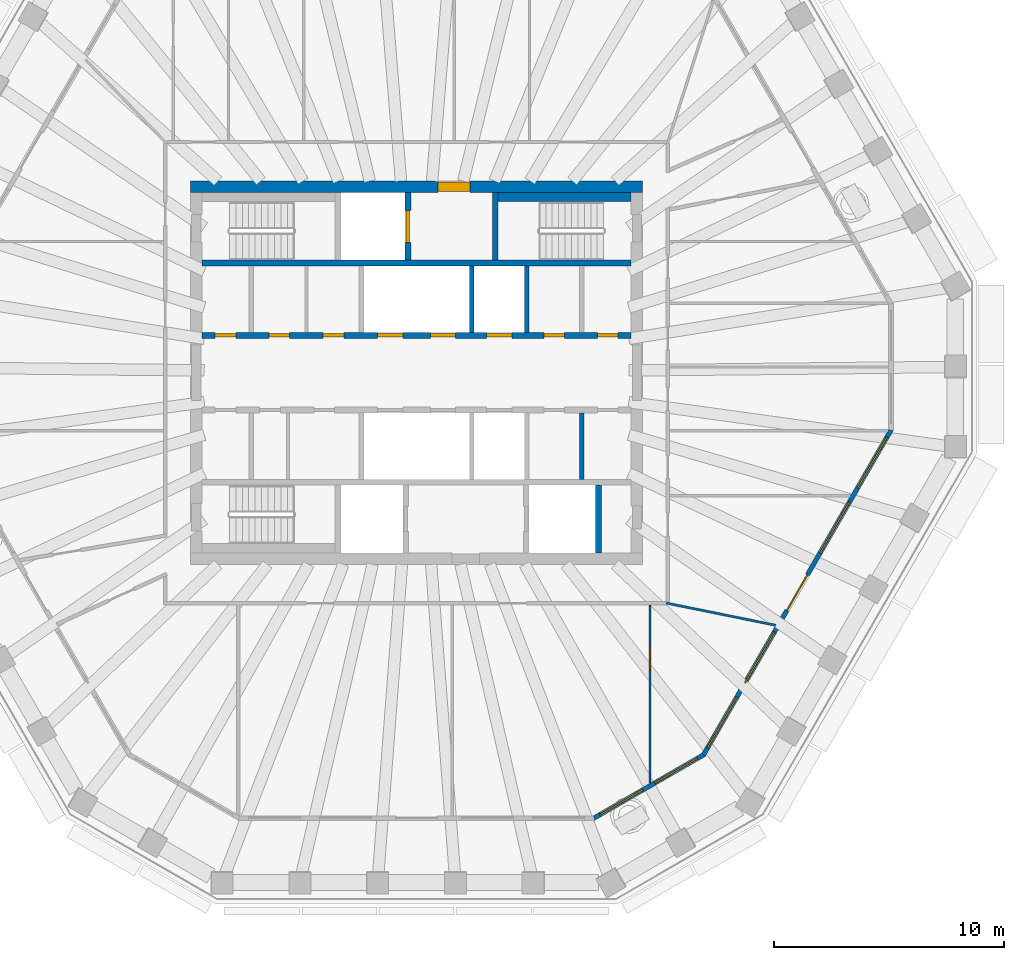
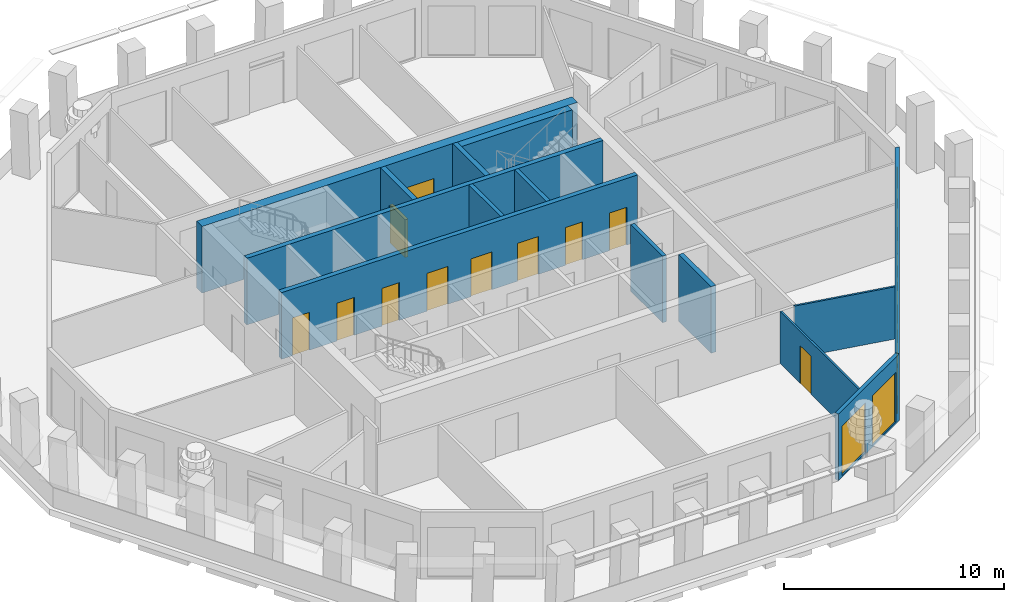
# One storey, part 5 of 12: 14 walls, 12 doors, 7 windows, 19 openings.
"""IFC4 building model written with IfcOpenShell, lengths in metres."""

from ifc_helpers import new_model, si_unit, direction, frame, frame_2d, origin, place, context, subcontext, project, spatial, polyline, rectangle, outline, extrude, material, layer, layer_set, type_object, element, fill, save


model = new_model("IFC4")

# Units and contexts
model_context = context("Model", 3, precision=1e-05, world=origin(), true_north=direction((0.0, 1.0)))
body_context = subcontext(model_context, "Body", "Model", "MODEL_VIEW")
ifc_project = project(units=[si_unit("LENGTHUNIT", "METRE"), si_unit("AREAUNIT", "SQUARE_METRE"), si_unit("VOLUMEUNIT", "CUBIC_METRE"), si_unit("PLANEANGLEUNIT", "RADIAN"), si_unit("MASSUNIT", "GRAM", prefix="KILO")], contexts=[model_context])

# Site, building, storey
site_placement = place(None, origin())
site = spatial("IfcSite", under=ifc_project, at=site_placement, CompositionType="ELEMENT")
building_placement = place(site_placement, origin())
building = spatial("IfcBuilding", under=site, at=building_placement, Name="Frailejon Research Tower", CompositionType="ELEMENT")
storey_placement = place(building_placement, frame((0.0, 0.0, 271.0)))
storey = spatial("IfcBuildingStorey", under=building, at=storey_placement, Name="L59", CompositionType="ELEMENT", Elevation=271.0)

# Wall, opening, door
ifc_material_1 = material(Name="Concrete C50/60", Category="concrete")
ifc_layer_1 = layer(ifc_material_1, 0.5)
ifc_layer_set_1 = layer_set([ifc_layer_1], Name="Core shear wall 500 C50/60")
wall_type_1 = type_object("IfcWallType", Name="Core shear wall 500 C50/60", PredefinedType="SHEAR", material=ifc_layer_set_1)
wall_1_placement = place(storey_placement, frame((-9.85009765625, 8.10009765625, 0.0), z_axis=(0.0, 0.0, 1.0), x_axis=(1.0, 0.0, 0.0)))
wall_1 = element("IfcWall", 1, at=wall_1_placement, inside=storey, type_object=wall_type_1, Name="Core shear wall", PredefinedType="SHEAR", context=body_context, shape_type="SweptSolid", body=[
    extrude(rectangle(XDim=19.7001953125, YDim=0.5, at=frame_2d((9.85009765625, 0.0))), origin(), (0.0, 0.0, 1.0), 3.699951171875),
])
opening_1_placement = place(wall_1_placement, frame((10.77490234375, 0.0, 0.0)))
opening_1 = element("IfcOpeningElement", 2, at=opening_1_placement, cuts=wall_1, Name="Opening D9", PredefinedType="OPENING", context=body_context, shape_type="SweptSolid", body=[
    extrude(rectangle(XDim=1.39990234375, YDim=2.10009765625, at=frame_2d((0.699951171875, 1.050048828125))), frame((0.0, 0.260009765625, 0.0), z_axis=(0.0, -1.0, 0.0), x_axis=(1.0, 0.0, 0.0)), (0.0, 0.0, 1.0), 0.52001953125),
])
ifc_material_2 = material(Name="Steel", Category="steel")
door_type_1 = type_object("IfcDoorType", Name="Goods lobby door", OperationType="DOUBLE_DOOR_SINGLE_SWING", PredefinedType="DOOR", material=ifc_material_2)
door_1_placement = place(opening_1_placement, origin())
door_1 = element("IfcDoor", 3, at=door_1_placement, inside=storey, type_object=door_type_1, Name="Goods lobby door", OperationType="DOUBLE_DOOR_SINGLE_SWING", OverallHeight=2.10009765625, OverallWidth=1.39990234375, PredefinedType="DOOR", context=body_context, shape_type="SweptSolid", body=[
    extrude(rectangle(XDim=1.39990234375, YDim=2.10009765625, at=frame_2d((0.699951171875, 1.050048828125))), frame((0.0, 0.199951171875, 0.0), z_axis=(0.0, -1.0, 0.0), x_axis=(1.0, 0.0, 0.0)), (0.0, 0.0, 1.0), 0.39990234375),
])
fill(opening_1, door_1)

ifc_material_3 = material(Name="Gypsum board and masonry partition", Category="masonry")
ifc_layer_2 = layer(ifc_material_3, 0.10009765625)
ifc_layer_set_2 = layer_set([ifc_layer_2], Name="Partition, gypsum on steel studs 100")
wall_type_2 = type_object("IfcWallType", Name="Partition, gypsum on steel studs 100", PredefinedType="PARTITIONING", material=ifc_layer_set_2)
wall_2_placement = place(storey_placement, frame((10.166748046875, -17.881103515625, 0.0), z_axis=(0.0, 0.0, 1.0), x_axis=(0.0, 1.0, 0.0)))
wall_2 = element("IfcWall", 4, at=wall_2_placement, inside=storey, type_object=wall_type_2, Name="T:IW:L59:026", PredefinedType="PARTITIONING", context=body_context, shape_type="SweptSolid", body=[
    extrude(rectangle(XDim=7.756103515625, YDim=0.10009765625, at=frame_2d((3.8779296875, 0.0))), origin(), (0.0, 0.0, 1.0), 2.89990234375),
])
opening_2_placement = place(wall_2_placement, frame((4.948486328125, 0.0, 0.0)))
opening_2 = element("IfcOpeningElement", 5, at=opening_2_placement, cuts=wall_2, Name="Opening D2147", PredefinedType="OPENING", context=body_context, shape_type="SweptSolid", body=[
    extrude(rectangle(XDim=1.0, YDim=2.10009765625, at=frame_2d((0.5, 1.050048828125))), frame((0.0, 0.06005859375, 0.0), z_axis=(0.0, -1.0, 0.0), x_axis=(1.0, 0.0, 0.0)), (0.0, 0.0, 1.0), 0.1201171875),
])
ifc_material_4 = material(Name="Timber door leaf", Category="wood")
door_type_2 = type_object("IfcDoorType", Name="Door single leaf, timber, steel frame 1000", OperationType="NOTDEFINED", PredefinedType="DOOR", material=ifc_material_4)
door_2_placement = place(opening_2_placement, origin())
door_2 = element("IfcDoor", 6, at=door_2_placement, inside=storey, type_object=door_type_2, Name="D2147", OperationType="SINGLE_SWING_RIGHT", OverallHeight=2.10009765625, OverallWidth=1.0, PredefinedType="DOOR", context=body_context, shape_type="SweptSolid", body=[
    extrude(rectangle(XDim=1.0, YDim=2.10009765625, at=frame_2d((0.5, 1.050048828125))), frame((0.0, 0.02490234375, 0.0), z_axis=(0.0, -1.0, 0.0), x_axis=(1.0, 0.0, 0.0)), (0.0, 0.0, 1.0), 0.050048828125),
])
fill(opening_2, door_2)

# Walls
wall_3_placement = place(storey_placement, frame((10.87646484375, -10.03515625, 0.0), z_axis=(0.0, 0.0, 1.0), x_axis=(0.980028746754, -0.198855866233, 0.0)))
element("IfcWall", 7, at=wall_3_placement, inside=storey, type_object=wall_type_2, Name="T:IW:L59:027", PredefinedType="PARTITIONING", context=body_context, shape_type="SweptSolid", body=[
    extrude(rectangle(XDim=4.865478515625, YDim=0.10009765625, at=frame_2d((2.4326171875, 0.0))), origin(), (0.0, 0.0, 1.0), 2.89990234375),
])
ifc_material_5 = material(Name="Concrete C50/60", Category="concrete")
ifc_layer_3 = layer(ifc_material_5, 0.199951171875)
ifc_layer_set_3 = layer_set([ifc_layer_3], Name="Shaft wall 200 C50/60")
wall_type_3 = type_object("IfcWallType", Name="Shaft wall 200 C50/60", PredefinedType="SOLIDWALL", material=ifc_layer_set_3)
for number, where, z_axis, x_axis, name in (
    (8, (2.39990234375, 1.75, 0.0), (0.0, 0.0, 1.0), (0.0, 1.0, 0.0), "Shaft wall"),
    (9, (4.800048828125, 1.75, 0.0), (0.0, 0.0, 1.0), (0.0, 1.0, 0.0), "Shaft wall"),
    (10, (7.199951171875, -4.64990234375, 0.0), (0.0, 0.0, 1.0), (0.0, 1.0, 0.0), "Shaft wall"),
):
    element("IfcWall", number, at=place(storey_placement, frame(where, z_axis=z_axis, x_axis=x_axis)), inside=storey, type_object=wall_type_3, Name=name, PredefinedType="SOLIDWALL", context=body_context, shape_type="SweptSolid", body=[
        extrude(rectangle(XDim=2.89990234375, YDim=0.199951171875, at=frame_2d((1.449951171875, 0.0))), origin(), (0.0, 0.0, 1.0), 3.699951171875),
    ])

# Wall, openings, doors
ifc_material_6 = material(Name="Concrete C50/60", Category="concrete")
ifc_layer_4 = layer(ifc_material_6, 0.25)
ifc_layer_set_4 = layer_set([ifc_layer_4], Name="Shaft wall 250 C50/60")
wall_type_4 = type_object("IfcWallType", Name="Shaft wall 250 C50/60", PredefinedType="SOLIDWALL", material=ifc_layer_set_4)
wall_4_placement = place(storey_placement, frame((-9.35009765625, 1.625, 0.0), z_axis=(0.0, 0.0, 1.0), x_axis=(1.0, 0.0, 0.0)))
wall_4 = element("IfcWall", 11, at=wall_4_placement, inside=storey, type_object=wall_type_4, Name="Shaft wall", PredefinedType="SOLIDWALL", context=body_context, shape_type="SweptSolid", body=[
    extrude(rectangle(XDim=18.7001953125, YDim=0.25, at=frame_2d((9.35009765625, 0.0))), origin(), (0.0, 0.0, 1.0), 3.699951171875),
])
opening_3_placement = place(wall_4_placement, frame((7.64990234375, 0.0, 0.0)))
opening_3 = element("IfcOpeningElement", 12, at=opening_3_placement, cuts=wall_4, Name="Opening LD", PredefinedType="OPENING", context=body_context, shape_type="SweptSolid", body=[
    extrude(rectangle(XDim=1.10009765625, YDim=2.10009765625, at=frame_2d((0.550048828125, 1.050048828125))), frame((0.0, 0.135009765625, 0.0), z_axis=(0.0, -1.0, 0.0), x_axis=(1.0, 0.0, 0.0)), (0.0, 0.0, 1.0), 0.27001953125),
])
opening_4_placement = place(wall_4_placement, frame((9.949951171875, 0.0, 0.0)))
opening_4 = element("IfcOpeningElement", 13, at=opening_4_placement, cuts=wall_4, Name="Opening LD", PredefinedType="OPENING", context=body_context, shape_type="SweptSolid", body=[
    extrude(rectangle(XDim=1.10009765625, YDim=2.10009765625, at=frame_2d((0.550048828125, 1.050048828125))), frame((0.0, 0.135009765625, 0.0), z_axis=(0.0, -1.0, 0.0), x_axis=(1.0, 0.0, 0.0)), (0.0, 0.0, 1.0), 0.27001953125),
])
opening_5_placement = place(wall_4_placement, frame((12.39990234375, 0.0, 0.0)))
opening_5 = element("IfcOpeningElement", 14, at=opening_5_placement, cuts=wall_4, Name="Opening LD", PredefinedType="OPENING", context=body_context, shape_type="SweptSolid", body=[
    extrude(rectangle(XDim=1.10009765625, YDim=2.10009765625, at=frame_2d((0.550048828125, 1.050048828125))), frame((0.0, 0.135009765625, 0.0), z_axis=(0.0, -1.0, 0.0), x_axis=(1.0, 0.0, 0.0)), (0.0, 0.0, 1.0), 0.27001953125),
])
opening_6_placement = place(wall_4_placement, frame((0.574951171875, 0.0, 0.0)))
opening_6 = element("IfcOpeningElement", 15, at=opening_6_placement, cuts=wall_4, Name="Opening D8", PredefinedType="OPENING", context=body_context, shape_type="SweptSolid", body=[
    extrude(rectangle(XDim=0.89990234375, YDim=2.10009765625, at=frame_2d((0.449951171875, 1.050048828125))), frame((0.0, 0.135009765625, 0.0), z_axis=(0.0, -1.0, 0.0), x_axis=(1.0, 0.0, 0.0)), (0.0, 0.0, 1.0), 0.27001953125),
])
opening_7_placement = place(wall_4_placement, frame((2.918701171875, 0.0, 0.0)))
opening_7 = element("IfcOpeningElement", 16, at=opening_7_placement, cuts=wall_4, Name="Opening D8", PredefinedType="OPENING", context=body_context, shape_type="SweptSolid", body=[
    extrude(rectangle(XDim=0.89990234375, YDim=2.10009765625, at=frame_2d((0.449951171875, 1.050048828125))), frame((0.0, 0.135009765625, 0.0), z_axis=(0.0, -1.0, 0.0), x_axis=(1.0, 0.0, 0.0)), (0.0, 0.0, 1.0), 0.27001953125),
])
opening_8_placement = place(wall_4_placement, frame((5.28125, 0.0, 0.0)))
opening_8 = element("IfcOpeningElement", 17, at=opening_8_placement, cuts=wall_4, Name="Opening D8", PredefinedType="OPENING", context=body_context, shape_type="SweptSolid", body=[
    extrude(rectangle(XDim=0.89990234375, YDim=2.10009765625, at=frame_2d((0.449951171875, 1.050048828125))), frame((0.0, 0.135009765625, 0.0), z_axis=(0.0, -1.0, 0.0), x_axis=(1.0, 0.0, 0.0)), (0.0, 0.0, 1.0), 0.27001953125),
])
opening_9_placement = place(wall_4_placement, frame((14.89990234375, 0.0, 0.0)))
opening_9 = element("IfcOpeningElement", 18, at=opening_9_placement, cuts=wall_4, Name="Opening D8", PredefinedType="OPENING", context=body_context, shape_type="SweptSolid", body=[
    extrude(rectangle(XDim=0.89990234375, YDim=2.10009765625, at=frame_2d((0.449951171875, 1.050048828125))), frame((0.0, 0.135009765625, 0.0), z_axis=(0.0, -1.0, 0.0), x_axis=(1.0, 0.0, 0.0)), (0.0, 0.0, 1.0), 0.27001953125),
])
opening_10_placement = place(wall_4_placement, frame((17.22509765625, 0.0, 0.0)))
opening_10 = element("IfcOpeningElement", 19, at=opening_10_placement, cuts=wall_4, Name="Opening D8", PredefinedType="OPENING", context=body_context, shape_type="SweptSolid", body=[
    extrude(rectangle(XDim=0.89990234375, YDim=2.10009765625, at=frame_2d((0.449951171875, 1.050048828125))), frame((0.0, 0.135009765625, 0.0), z_axis=(0.0, -1.0, 0.0), x_axis=(1.0, 0.0, 0.0)), (0.0, 0.0, 1.0), 0.27001953125),
])
ifc_material_7 = material(Name="Steel", Category="steel")
door_type_3 = type_object("IfcDoorType", Name="Core room door", OperationType="SINGLE_SWING_LEFT", PredefinedType="DOOR", material=ifc_material_7)
door_3_placement = place(opening_6_placement, origin())
door_3 = element("IfcDoor", 20, at=door_3_placement, inside=storey, type_object=door_type_3, Name="Room door", OperationType="SINGLE_SWING_RIGHT", OverallHeight=2.10009765625, OverallWidth=0.89990234375, PredefinedType="DOOR", context=body_context, shape_type="SweptSolid", body=[
    extrude(rectangle(XDim=0.89990234375, YDim=2.10009765625, at=frame_2d((0.449951171875, 1.050048828125))), frame((0.0, 0.074951171875, 0.0), z_axis=(0.0, -1.0, 0.0), x_axis=(1.0, 0.0, 0.0)), (0.0, 0.0, 1.0), 0.14990234375),
])
fill(opening_6, door_3)
door_4_placement = place(opening_7_placement, origin())
door_4 = element("IfcDoor", 21, at=door_4_placement, inside=storey, type_object=door_type_3, Name="Room door", OperationType="SINGLE_SWING_LEFT", OverallHeight=2.10009765625, OverallWidth=0.89990234375, PredefinedType="DOOR", context=body_context, shape_type="SweptSolid", body=[
    extrude(rectangle(XDim=0.89990234375, YDim=2.10009765625, at=frame_2d((0.449951171875, 1.050048828125))), frame((0.0, 0.074951171875, 0.0), z_axis=(0.0, -1.0, 0.0), x_axis=(1.0, 0.0, 0.0)), (0.0, 0.0, 1.0), 0.14990234375),
])
fill(opening_7, door_4)
door_5_placement = place(opening_8_placement, origin())
door_5 = element("IfcDoor", 22, at=door_5_placement, inside=storey, type_object=door_type_3, Name="Room door", OperationType="SINGLE_SWING_RIGHT", OverallHeight=2.10009765625, OverallWidth=0.89990234375, PredefinedType="DOOR", context=body_context, shape_type="SweptSolid", body=[
    extrude(rectangle(XDim=0.89990234375, YDim=2.10009765625, at=frame_2d((0.449951171875, 1.050048828125))), frame((0.0, 0.074951171875, 0.0), z_axis=(0.0, -1.0, 0.0), x_axis=(1.0, 0.0, 0.0)), (0.0, 0.0, 1.0), 0.14990234375),
])
fill(opening_8, door_5)
door_6_placement = place(opening_9_placement, origin())
door_6 = element("IfcDoor", 23, at=door_6_placement, inside=storey, type_object=door_type_3, Name="Room door", OperationType="SINGLE_SWING_LEFT", OverallHeight=2.10009765625, OverallWidth=0.89990234375, PredefinedType="DOOR", context=body_context, shape_type="SweptSolid", body=[
    extrude(rectangle(XDim=0.89990234375, YDim=2.10009765625, at=frame_2d((0.449951171875, 1.050048828125))), frame((0.0, 0.074951171875, 0.0), z_axis=(0.0, -1.0, 0.0), x_axis=(1.0, 0.0, 0.0)), (0.0, 0.0, 1.0), 0.14990234375),
])
fill(opening_9, door_6)
door_7_placement = place(opening_10_placement, origin())
door_7 = element("IfcDoor", 24, at=door_7_placement, inside=storey, type_object=door_type_3, Name="Room door", OperationType="SINGLE_SWING_RIGHT", OverallHeight=2.10009765625, OverallWidth=0.89990234375, PredefinedType="DOOR", context=body_context, shape_type="SweptSolid", body=[
    extrude(rectangle(XDim=0.89990234375, YDim=2.10009765625, at=frame_2d((0.449951171875, 1.050048828125))), frame((0.0, 0.074951171875, 0.0), z_axis=(0.0, -1.0, 0.0), x_axis=(1.0, 0.0, 0.0)), (0.0, 0.0, 1.0), 0.14990234375),
])
fill(opening_10, door_7)
ifc_material_8 = material(Name="Steel", Category="steel")
door_type_4 = type_object("IfcDoorType", Name="Lift landing door", OperationType="DOUBLE_DOOR_SLIDING", PredefinedType="DOOR", material=ifc_material_8)
door_8_placement = place(opening_3_placement, origin())
door_8 = element("IfcDoor", 25, at=door_8_placement, inside=storey, type_object=door_type_4, Name="Lift landing door", OperationType="DOUBLE_DOOR_SLIDING", OverallHeight=2.10009765625, OverallWidth=1.10009765625, PredefinedType="DOOR", context=body_context, shape_type="SweptSolid", body=[
    extrude(rectangle(XDim=1.10009765625, YDim=2.10009765625, at=frame_2d((0.550048828125, 1.050048828125))), frame((0.0, 0.074951171875, 0.0), z_axis=(0.0, -1.0, 0.0), x_axis=(1.0, 0.0, 0.0)), (0.0, 0.0, 1.0), 0.14990234375),
])
fill(opening_3, door_8)
door_9_placement = place(opening_4_placement, origin())
door_9 = element("IfcDoor", 26, at=door_9_placement, inside=storey, type_object=door_type_4, Name="Lift landing door", OperationType="DOUBLE_DOOR_SLIDING", OverallHeight=2.10009765625, OverallWidth=1.10009765625, PredefinedType="DOOR", context=body_context, shape_type="SweptSolid", body=[
    extrude(rectangle(XDim=1.10009765625, YDim=2.10009765625, at=frame_2d((0.550048828125, 1.050048828125))), frame((0.0, 0.074951171875, 0.0), z_axis=(0.0, -1.0, 0.0), x_axis=(1.0, 0.0, 0.0)), (0.0, 0.0, 1.0), 0.14990234375),
])
fill(opening_4, door_9)
door_10_placement = place(opening_5_placement, origin())
door_10 = element("IfcDoor", 27, at=door_10_placement, inside=storey, type_object=door_type_4, Name="Lift landing door", OperationType="DOUBLE_DOOR_SLIDING", OverallHeight=2.10009765625, OverallWidth=1.10009765625, PredefinedType="DOOR", context=body_context, shape_type="SweptSolid", body=[
    extrude(rectangle(XDim=1.10009765625, YDim=2.10009765625, at=frame_2d((0.550048828125, 1.050048828125))), frame((0.0, 0.074951171875, 0.0), z_axis=(0.0, -1.0, 0.0), x_axis=(1.0, 0.0, 0.0)), (0.0, 0.0, 1.0), 0.14990234375),
])
fill(opening_5, door_10)

# Wall
wall_5_placement = place(storey_placement, frame((-9.35009765625, 4.77490234375, 0.0), z_axis=(0.0, 0.0, 1.0), x_axis=(1.0, 0.0, 0.0)))
element("IfcWall", 28, at=wall_5_placement, inside=storey, type_object=wall_type_4, Name="Shaft wall", PredefinedType="SOLIDWALL", context=body_context, shape_type="SweptSolid", body=[
    extrude(rectangle(XDim=18.7001953125, YDim=0.25, at=frame_2d((9.35009765625, 0.0))), origin(), (0.0, 0.0, 1.0), 3.699951171875),
])

# Wall, opening, door
wall_6_placement = place(storey_placement, frame((-0.375, 4.89990234375, 0.0), z_axis=(0.0, 0.0, 1.0), x_axis=(0.0, 1.0, 0.0)))
wall_6 = element("IfcWall", 29, at=wall_6_placement, inside=storey, type_object=wall_type_4, Name="Shaft wall", PredefinedType="SOLIDWALL", context=body_context, shape_type="SweptSolid", body=[
    extrude(rectangle(XDim=2.9501953125, YDim=0.25, at=frame_2d((1.47509765625, 0.0))), origin(), (0.0, 0.0, 1.0), 3.699951171875),
])
opening_11_placement = place(wall_6_placement, frame((0.77490234375, 0.0, 0.0)))
opening_11 = element("IfcOpeningElement", 30, at=opening_11_placement, cuts=wall_6, Name="Opening LD2", PredefinedType="OPENING", context=body_context, shape_type="SweptSolid", body=[
    extrude(rectangle(XDim=1.39990234375, YDim=2.10009765625, at=frame_2d((0.699951171875, 1.050048828125))), frame((0.0, 0.135009765625, 0.0), z_axis=(0.0, -1.0, 0.0), x_axis=(1.0, 0.0, 0.0)), (0.0, 0.0, 1.0), 0.27001953125),
])
ifc_material_9 = material(Name="Stainless steel", Category="steel")
door_type_5 = type_object("IfcDoorType", Name="Goods landing door", OperationType="DOUBLE_DOOR_SLIDING", PredefinedType="DOOR", material=ifc_material_9)
door_11_placement = place(opening_11_placement, origin())
door_11 = element("IfcDoor", 31, at=door_11_placement, inside=storey, type_object=door_type_5, Name="Lift landing door", OperationType="DOUBLE_DOOR_SLIDING", OverallHeight=2.10009765625, OverallWidth=1.39990234375, PredefinedType="DOOR", context=body_context, shape_type="SweptSolid", body=[
    extrude(rectangle(XDim=1.39990234375, YDim=2.10009765625, at=frame_2d((0.699951171875, 1.050048828125))), frame((0.0, 0.074951171875, 0.0), z_axis=(0.0, -1.0, 0.0), x_axis=(1.0, 0.0, 0.0)), (0.0, 0.0, 1.0), 0.14990234375),
])
fill(opening_11, door_11)

# Walls
for number, where, z_axis, x_axis, name in (
    (32, (3.425048828125, 4.89990234375, 0.0), (0.0, 0.0, 1.0), (0.0, 1.0, 0.0), "Shaft wall"),
    (33, (7.925048828125, -7.85009765625, 0.0), (0.0, 0.0, 1.0), (0.0, 1.0, 0.0), "Shaft wall"),
):
    element("IfcWall", number, at=place(storey_placement, frame(where, z_axis=z_axis, x_axis=x_axis)), inside=storey, type_object=wall_type_4, Name=name, PredefinedType="SOLIDWALL", context=body_context, shape_type="SweptSolid", body=[
        extrude(rectangle(XDim=2.9501953125, YDim=0.25, at=frame_2d((1.47509765625, 0.0))), origin(), (0.0, 0.0, 1.0), 3.699951171875),
    ])
ifc_material_10 = material(Name="Concrete C50/60", Category="concrete")
ifc_layer_5 = layer(ifc_material_10, 0.39990234375)
ifc_layer_set_5 = layer_set([ifc_layer_5], Name="Shaft wall 400 C50/60")
wall_type_5 = type_object("IfcWallType", Name="Shaft wall 400 C50/60", PredefinedType="SOLIDWALL", material=ifc_layer_set_5)
wall_7_placement = place(storey_placement, frame((3.550048828125, 7.64990234375, 0.0), z_axis=(0.0, 0.0, 1.0), x_axis=(1.0, 0.0, 0.0)))
element("IfcWall", 34, at=wall_7_placement, inside=storey, type_object=wall_type_5, Name="Shaft wall", PredefinedType="SOLIDWALL", context=body_context, shape_type="SweptSolid", body=[
    extrude(rectangle(XDim=5.800048828125, YDim=0.39990234375, at=frame_2d((2.89990234375, 0.0))), origin(), (0.0, 0.0, 1.0), 3.699951171875),
])

# Wall, openings, windows
ifc_material_11 = material(Name="Concrete C40/50 precast window wall panel", Category="concrete")
ifc_layer_6 = layer(ifc_material_11, 0.199951171875)
ifc_layer_set_6 = layer_set([ifc_layer_6], Name="Window wall 200")
wall_type_6 = type_object("IfcWallType", Name="Window wall 200", PredefinedType="SOLIDWALL", material=ifc_layer_set_6)
wall_8_placement = place(storey_placement, frame((7.733642578125, -19.4013671875, 0.0), z_axis=(0.0, 0.0, 1.0), x_axis=(0.866026017613, 0.499998936816, 0.0)))
wall_8 = element("IfcWall", 35, at=wall_8_placement, inside=storey, type_object=wall_type_6, Name="Exterior wall L59", PredefinedType="SOLIDWALL", context=body_context, shape_type="SweptSolid", body=[
    extrude(outline(polyline([(-0.02685546875, -0.10009765625), (1.08447265625, -0.10009765625), (2.196044921875, -0.10009765625), (3.307373046875, -0.10009765625), (4.4189453125, -0.10009765625), (5.5302734375, -0.10009765625), (5.4765625, 0.10009765625), (4.38671875, 0.10009765625), (3.296630859375, 0.10009765625), (2.206787109375, 0.10009765625), (1.11669921875, 0.10009765625), (0.02685546875, 0.10009765625), (-0.02685546875, -0.10009765625)])), origin(), (0.0, 0.0, 1.0), 3.699951171875),
])
opening_12_placement = place(wall_8_placement, frame((0.30078125, 0.0, 0.10009765625)))
opening_12 = element("IfcOpeningElement", 36, at=opening_12_placement, cuts=wall_8, Name="Opening W22", PredefinedType="OPENING", context=body_context, shape_type="SweptSolid", body=[
    extrude(rectangle(XDim=2.14990234375, YDim=2.75, at=frame_2d((1.074951171875, 1.375))), frame((0.0, 0.10986328125, 0.0), z_axis=(0.0, -1.0, 0.0), x_axis=(1.0, 0.0, 0.0)), (0.0, 0.0, 1.0), 0.219970703125),
])
opening_13_placement = place(wall_8_placement, frame((3.052490234375, 0.0, 0.10009765625)))
opening_13 = element("IfcOpeningElement", 37, at=opening_13_placement, cuts=wall_8, Name="Opening W22", PredefinedType="OPENING", context=body_context, shape_type="SweptSolid", body=[
    extrude(rectangle(XDim=2.14990234375, YDim=2.75, at=frame_2d((1.074951171875, 1.375))), frame((0.0, 0.10986328125, 0.0), z_axis=(0.0, -1.0, 0.0), x_axis=(1.0, 0.0, 0.0)), (0.0, 0.0, 1.0), 0.219970703125),
])
ifc_material_12 = material(Name="Aluminium framed double glazing", Category="aluminium")
window_type_1 = type_object("IfcWindowType", Name="Window 2150x2750", PartitioningType="SINGLE_PANEL", PredefinedType="WINDOW", material=ifc_material_12)
window_1_placement = place(opening_12_placement, origin())
window_1 = element("IfcWindow", 38, at=window_1_placement, inside=storey, type_object=window_type_1, Name="Window L59", OverallHeight=2.75, OverallWidth=2.14990234375, PartitioningType="SINGLE_PANEL", PredefinedType="WINDOW", context=body_context, shape_type="SweptSolid", body=[
    extrude(rectangle(XDim=2.14990234375, YDim=2.75, at=frame_2d((1.074951171875, 1.375))), frame((0.0, 0.030029296875, 0.0), z_axis=(0.0, -1.0, 0.0), x_axis=(1.0, 0.0, 0.0)), (0.0, 0.0, 1.0), 0.06005859375),
])
fill(opening_12, window_1)
window_2_placement = place(opening_13_placement, origin())
window_2 = element("IfcWindow", 39, at=window_2_placement, inside=storey, type_object=window_type_1, Name="Window L59", OverallHeight=2.75, OverallWidth=2.14990234375, PartitioningType="SINGLE_PANEL", PredefinedType="WINDOW", context=body_context, shape_type="SweptSolid", body=[
    extrude(rectangle(XDim=2.14990234375, YDim=2.75, at=frame_2d((1.074951171875, 1.375))), frame((0.0, 0.030029296875, 0.0), z_axis=(0.0, -1.0, 0.0), x_axis=(1.0, 0.0, 0.0)), (0.0, 0.0, 1.0), 0.06005859375),
])
fill(opening_13, window_2)

# Wall, openings, door, windows
wall_9_placement = place(storey_placement, frame((12.499755859375, -16.649658203125, 0.0), z_axis=(0.0, 0.0, 1.0), x_axis=(0.50000098397, 0.866024835688, 0.0)))
wall_9 = element("IfcWall", 40, at=wall_9_placement, inside=storey, type_object=wall_type_6, Name="Exterior wall L59", PredefinedType="SOLIDWALL", context=body_context, shape_type="SweptSolid", body=[
    extrude(outline(polyline([(-0.02685546875, -0.10009765625), (0.99755859375, -0.10009765625), (2.022216796875, -0.10009765625), (3.046630859375, -0.10009765625), (4.0712890625, -0.10009765625), (5.095703125, -0.10009765625), (6.1201171875, -0.10009765625), (7.144775390625, -0.10009765625), (8.169189453125, -0.10009765625), (9.193603515625, -0.10009765625), (10.21826171875, -0.10009765625), (11.24267578125, -0.10009765625), (12.26708984375, -0.10009765625), (13.291748046875, -0.10009765625), (14.316162109375, -0.10009765625), (15.3408203125, -0.10009765625), (16.365234375, -0.10009765625), (16.3115234375, 0.10009765625), (15.293701171875, 0.10009765625), (14.27587890625, 0.10009765625), (13.258056640625, 0.10009765625), (12.240234375, 0.10009765625), (11.22265625, 0.10009765625), (10.204833984375, 0.10009765625), (9.18701171875, 0.10009765625), (8.169189453125, 0.10009765625), (7.1513671875, 0.10009765625), (6.133544921875, 0.10009765625), (5.11572265625, 0.10009765625), (4.09814453125, 0.10009765625), (3.080322265625, 0.10009765625), (2.0625, 0.10009765625), (1.044677734375, 0.10009765625), (0.02685546875, 0.10009765625), (-0.02685546875, -0.10009765625)])), origin(), (0.0, 0.0, 1.0), 3.699951171875),
])
opening_14_placement = place(wall_9_placement, frame((0.35888671875, 0.0, 0.10009765625)))
opening_14 = element("IfcOpeningElement", 41, at=opening_14_placement, cuts=wall_9, Name="Opening W25", PredefinedType="OPENING", context=body_context, shape_type="SweptSolid", body=[
    extrude(rectangle(XDim=2.550048828125, YDim=2.75, at=frame_2d((1.27490234375, 1.375))), frame((0.0, 0.10986328125, 0.0), z_axis=(0.0, -1.0, 0.0), x_axis=(1.0, 0.0, 0.0)), (0.0, 0.0, 1.0), 0.219970703125),
])
opening_15_placement = place(wall_9_placement, frame((3.62646484375, 0.0, 0.10009765625)))
opening_15 = element("IfcOpeningElement", 42, at=opening_15_placement, cuts=wall_9, Name="Opening W25", PredefinedType="OPENING", context=body_context, shape_type="SweptSolid", body=[
    extrude(rectangle(XDim=2.550048828125, YDim=2.75, at=frame_2d((1.27490234375, 1.375))), frame((0.0, 0.10986328125, 0.0), z_axis=(0.0, -1.0, 0.0), x_axis=(1.0, 0.0, 0.0)), (0.0, 0.0, 1.0), 0.219970703125),
])
opening_16_placement = place(wall_9_placement, frame((7.269287109375, 0.0, 0.0)))
opening_16 = element("IfcOpeningElement", 43, at=opening_16_placement, cuts=wall_9, Name="Opening LG59-6", PredefinedType="OPENING", context=body_context, shape_type="SweptSolid", body=[
    extrude(rectangle(XDim=1.800048828125, YDim=2.39990234375, at=frame_2d((0.89990234375, 1.199951171875))), frame((0.0, 0.10986328125, 0.0), z_axis=(0.0, -1.0, 0.0), x_axis=(1.0, 0.0, 0.0)), (0.0, 0.0, 1.0), 0.219970703125),
])
opening_17_placement = place(wall_9_placement, frame((7.269287109375, 0.0, 2.550048828125)))
opening_17 = element("IfcOpeningElement", 44, at=opening_17_placement, cuts=wall_9, Name="Opening W24", PredefinedType="OPENING", context=body_context, shape_type="SweptSolid", body=[
    extrude(rectangle(XDim=1.800048828125, YDim=0.300048828125, at=frame_2d((0.89990234375, 0.14990234375))), frame((0.0, 0.10986328125, 0.0), z_axis=(0.0, -1.0, 0.0), x_axis=(1.0, 0.0, 0.0)), (0.0, 0.0, 1.0), 0.219970703125),
])
opening_18_placement = place(wall_9_placement, frame((10.161865234375, 0.0, 0.10009765625)))
opening_18 = element("IfcOpeningElement", 45, at=opening_18_placement, cuts=wall_9, Name="Opening W25", PredefinedType="OPENING", context=body_context, shape_type="SweptSolid", body=[
    extrude(rectangle(XDim=2.550048828125, YDim=2.75, at=frame_2d((1.27490234375, 1.375))), frame((0.0, 0.10986328125, 0.0), z_axis=(0.0, -1.0, 0.0), x_axis=(1.0, 0.0, 0.0)), (0.0, 0.0, 1.0), 0.219970703125),
])
opening_19_placement = place(wall_9_placement, frame((13.429443359375, 0.0, 0.10009765625)))
opening_19 = element("IfcOpeningElement", 46, at=opening_19_placement, cuts=wall_9, Name="Opening W25", PredefinedType="OPENING", context=body_context, shape_type="SweptSolid", body=[
    extrude(rectangle(XDim=2.550048828125, YDim=2.75, at=frame_2d((1.27490234375, 1.375))), frame((0.0, 0.10986328125, 0.0), z_axis=(0.0, -1.0, 0.0), x_axis=(1.0, 0.0, 0.0)), (0.0, 0.0, 1.0), 0.219970703125),
])
ifc_material_13 = material(Name="Aluminium framed glazed door leaf", Category="aluminium")
door_type_6 = type_object("IfcDoorType", Name="Loggia door 1800x2400", OperationType="DOUBLE_DOOR_SINGLE_SWING", PredefinedType="DOOR", material=ifc_material_13)
door_12_placement = place(opening_16_placement, origin())
door_12 = element("IfcDoor", 47, at=door_12_placement, inside=storey, type_object=door_type_6, Name="Door LG59-6", OperationType="DOUBLE_DOOR_SINGLE_SWING", OverallHeight=2.39990234375, OverallWidth=1.800048828125, PredefinedType="DOOR", context=body_context, shape_type="SweptSolid", body=[
    extrude(rectangle(XDim=1.800048828125, YDim=2.39990234375, at=frame_2d((0.89990234375, 1.199951171875))), frame((0.0, 0.02490234375, 0.0), z_axis=(0.0, -1.0, 0.0), x_axis=(1.0, 0.0, 0.0)), (0.0, 0.0, 1.0), 0.050048828125),
])
fill(opening_16, door_12)
ifc_material_14 = material(Name="Aluminium framed double glazing", Category="aluminium")
window_type_2 = type_object("IfcWindowType", Name="Window 1800x300", PartitioningType="SINGLE_PANEL", PredefinedType="WINDOW", material=ifc_material_14)
window_3_placement = place(opening_17_placement, origin())
window_3 = element("IfcWindow", 48, at=window_3_placement, inside=storey, type_object=window_type_2, Name="Window L59", OverallHeight=0.300048828125, OverallWidth=1.800048828125, PartitioningType="SINGLE_PANEL", PredefinedType="WINDOW", context=body_context, shape_type="SweptSolid", body=[
    extrude(rectangle(XDim=1.800048828125, YDim=0.300048828125, at=frame_2d((0.89990234375, 0.14990234375))), frame((0.0, 0.030029296875, 0.0), z_axis=(0.0, -1.0, 0.0), x_axis=(1.0, 0.0, 0.0)), (0.0, 0.0, 1.0), 0.06005859375),
])
fill(opening_17, window_3)
ifc_material_15 = material(Name="Aluminium framed double glazing", Category="aluminium")
window_type_3 = type_object("IfcWindowType", Name="Window 2550x2750", PartitioningType="SINGLE_PANEL", PredefinedType="WINDOW", material=ifc_material_15)
window_4_placement = place(opening_14_placement, origin())
window_4 = element("IfcWindow", 49, at=window_4_placement, inside=storey, type_object=window_type_3, Name="Window L59", OverallHeight=2.75, OverallWidth=2.550048828125, PartitioningType="SINGLE_PANEL", PredefinedType="WINDOW", context=body_context, shape_type="SweptSolid", body=[
    extrude(rectangle(XDim=2.550048828125, YDim=2.75, at=frame_2d((1.27490234375, 1.375))), frame((0.0, 0.030029296875, 0.0), z_axis=(0.0, -1.0, 0.0), x_axis=(1.0, 0.0, 0.0)), (0.0, 0.0, 1.0), 0.06005859375),
])
fill(opening_14, window_4)
window_5_placement = place(opening_15_placement, origin())
window_5 = element("IfcWindow", 50, at=window_5_placement, inside=storey, type_object=window_type_3, Name="Window L59", OverallHeight=2.75, OverallWidth=2.550048828125, PartitioningType="SINGLE_PANEL", PredefinedType="WINDOW", context=body_context, shape_type="SweptSolid", body=[
    extrude(rectangle(XDim=2.550048828125, YDim=2.75, at=frame_2d((1.27490234375, 1.375))), frame((0.0, 0.030029296875, 0.0), z_axis=(0.0, -1.0, 0.0), x_axis=(1.0, 0.0, 0.0)), (0.0, 0.0, 1.0), 0.06005859375),
])
fill(opening_15, window_5)
window_6_placement = place(opening_18_placement, origin())
window_6 = element("IfcWindow", 51, at=window_6_placement, inside=storey, type_object=window_type_3, Name="Window L59", OverallHeight=2.75, OverallWidth=2.550048828125, PartitioningType="SINGLE_PANEL", PredefinedType="WINDOW", context=body_context, shape_type="SweptSolid", body=[
    extrude(rectangle(XDim=2.550048828125, YDim=2.75, at=frame_2d((1.27490234375, 1.375))), frame((0.0, 0.030029296875, 0.0), z_axis=(0.0, -1.0, 0.0), x_axis=(1.0, 0.0, 0.0)), (0.0, 0.0, 1.0), 0.06005859375),
])
fill(opening_18, window_6)
window_7_placement = place(opening_19_placement, origin())
window_7 = element("IfcWindow", 52, at=window_7_placement, inside=storey, type_object=window_type_3, Name="Window L59", OverallHeight=2.75, OverallWidth=2.550048828125, PartitioningType="SINGLE_PANEL", PredefinedType="WINDOW", context=body_context, shape_type="SweptSolid", body=[
    extrude(rectangle(XDim=2.550048828125, YDim=2.75, at=frame_2d((1.27490234375, 1.375))), frame((0.0, 0.030029296875, 0.0), z_axis=(0.0, -1.0, 0.0), x_axis=(1.0, 0.0, 0.0)), (0.0, 0.0, 1.0), 0.06005859375),
])
fill(opening_19, window_7)

save(model, "model.ifc")
